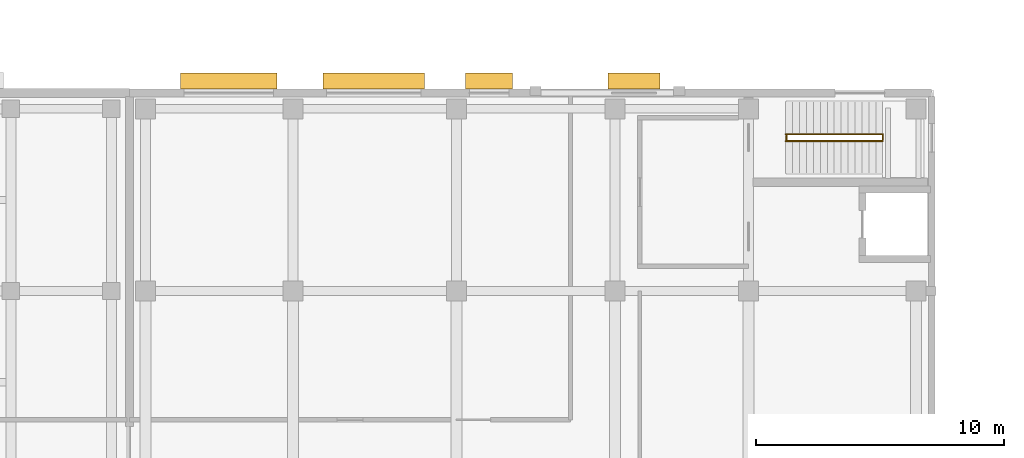
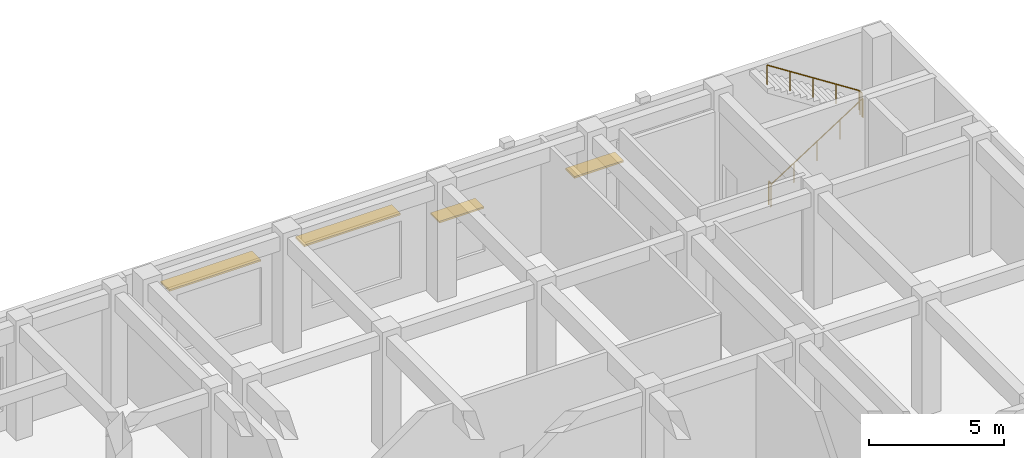
# One storey, part 46 of 46: 4 railings, 4 shading devices.
"""IFC4 building model written with IfcOpenShell, lengths in metres."""

from ifc_helpers import new_model, si_unit, direction, frame, origin, origin_2d, place, context, subcontext, project, spatial, rectangle, circle, extrude, material, type_object, element, save


model = new_model("IFC4")

# Units and contexts
model_context = context("Model", 3, precision=1e-05, world=origin(), true_north=direction((0.0, 1.0)))
body_context = subcontext(model_context, "Body", "Model", "MODEL_VIEW")
ifc_project = project(units=[si_unit("LENGTHUNIT", "METRE"), si_unit("AREAUNIT", "SQUARE_METRE"), si_unit("VOLUMEUNIT", "CUBIC_METRE"), si_unit("PLANEANGLEUNIT", "RADIAN"), si_unit("MASSUNIT", "GRAM", prefix="KILO")], contexts=[model_context])

# Site, building, storey
site_placement = place(None, origin())
site = spatial("IfcSite", under=ifc_project, at=site_placement, CompositionType="ELEMENT")
building_placement = place(site_placement, origin())
building = spatial("IfcBuilding", under=site, at=building_placement, Name="Cinchona Park Media Centre", CompositionType="ELEMENT")
storey_placement = place(building_placement, origin())
storey = spatial("IfcBuildingStorey", under=building, at=storey_placement, Name="L00", CompositionType="ELEMENT", Elevation=0.0)

# Railings
ifc_material_1 = material(Name="Painted Steel Stairwell Guardrail", Category="steel")
railing_type_1 = type_object("IfcRailingType", Name="RAILING-GR02", PredefinedType="GUARDRAIL", material=ifc_material_1)
for number, where, name in (
    (1, (166.135009765625, 116.1201171875, 0.0), "Stairwell Guardrail GR02 ST2 L00"),
    (2, (170.02001953125, 116.1201171875, 2.699951171875), "Half-Landing Guardrail GR02 ST2 L00"),
):
    element("IfcRailing", number, at=place(storey_placement, frame(where)), inside=storey, type_object=railing_type_1, Name=name, PredefinedType="GUARDRAIL", context=body_context, shape_type="SweptSolid", body=[
        extrude(circle(Radius=0.02392578125, at=origin_2d()), frame((0.0, 0.0, 1.076171875), z_axis=(0.0, 1.0, 0.0), x_axis=(-1.0, 0.0, 0.0)), (0.0, 0.0, 1.0), 0.159912109375),
        extrude(circle(Radius=0.02099609375, at=origin_2d()), origin(), (0.0, 0.0, 1.0), 1.052001953125),
        extrude(circle(Radius=0.02099609375, at=origin_2d()), frame((0.0, 0.159912109375, 0.0)), (0.0, 0.0, 1.0), 1.052001953125),
    ])
ifc_material_2 = material(Name="Brushed Stainless Steel Handrail", Category="steel")
railing_type_2 = type_object("IfcRailingType", Name="RAILING-HR01", PredefinedType="HANDRAIL", material=ifc_material_2)
railing_1_placement = place(storey_placement, frame((166.10009765625, 116.06005859375, 0.179931640625)))
element("IfcRailing", 3, at=railing_1_placement, inside=storey, type_object=railing_type_2, Name="Stair Handrail HR01 ST2 L00 F1", PredefinedType="HANDRAIL", context=body_context, shape_type="SweptSolid", body=[
    extrude(circle(Radius=0.02392578125, at=origin_2d()), frame((0.0, 0.0, 0.8759765625), z_axis=(0.841171666519, 0.0, 0.540768182723), x_axis=(0.0, 1.0, 0.0)), (0.0, 0.0, 1.0), 4.66015625),
    extrude(circle(Radius=0.02099609375, at=origin_2d()), origin(), (0.0, 0.0, 1.0), 0.851806640625),
    extrude(circle(Radius=0.02099609375, at=origin_2d()), frame((0.97998046875, 0.0, 0.6298828125)), (0.0, 0.0, 1.0), 0.851806640625),
    extrude(circle(Radius=0.02099609375, at=origin_2d()), frame((1.9599609375, 0.0, 1.260009765625)), (0.0, 0.0, 1.0), 0.851806640625),
    extrude(circle(Radius=0.02099609375, at=origin_2d()), frame((2.93994140625, 0.0, 1.89013671875)), (0.0, 0.0, 1.0), 0.851806640625),
    extrude(circle(Radius=0.02099609375, at=origin_2d()), frame((3.919921875, 0.0, 2.52001953125)), (0.0, 0.0, 1.0), 0.851806640625),
])
railing_2_placement = place(storey_placement, frame((170.02001953125, 116.340087890625, 2.8798828125)))
element("IfcRailing", 4, at=railing_2_placement, inside=storey, type_object=railing_type_2, Name="Stair Handrail HR01 ST2 L00 F2", PredefinedType="HANDRAIL", context=body_context, shape_type="SweptSolid", body=[
    extrude(circle(Radius=0.02392578125, at=origin_2d()), frame((0.0, 0.0, 0.8759765625), z_axis=(-0.841171666519, 0.0, 0.540768182723), x_axis=(0.0, -1.0, 0.0)), (0.0, 0.0, 1.0), 4.66015625),
    extrude(circle(Radius=0.02099609375, at=origin_2d()), origin(), (0.0, 0.0, 1.0), 0.851806640625),
    extrude(circle(Radius=0.02099609375, at=origin_2d()), frame((-0.97998046875, 0.0, 0.6298828125)), (0.0, 0.0, 1.0), 0.851806640625),
    extrude(circle(Radius=0.02099609375, at=origin_2d()), frame((-1.9599609375, 0.0, 1.260009765625)), (0.0, 0.0, 1.0), 0.851806640625),
    extrude(circle(Radius=0.02099609375, at=origin_2d()), frame((-2.93994140625, 0.0, 1.89013671875)), (0.0, 0.0, 1.0), 0.851806640625),
    extrude(circle(Radius=0.02099609375, at=origin_2d()), frame((-3.919921875, 0.0, 2.52001953125)), (0.0, 0.0, 1.0), 0.851806640625),
])

# Shading devices
ifc_material_3 = material(Name="Anodised Aluminium Horizontal Brise-Soleil", Category="aluminium")
shading_device_type = type_object("IfcShadingDeviceType", Name="SHADING-SUN01", PredefinedType="AWNING", material=ifc_material_3)
shading_device_1_placement = place(storey_placement, frame((143.60009765625, 118.47998046875, 3.52001953125), z_axis=(0.0, 0.0, 1.0), x_axis=(1.0, 0.0, 0.0)))
element("IfcShadingDevice", 5, at=shading_device_1_placement, inside=storey, type_object=shading_device_type, Name="Horizontal Sunshade SHD02 L00", PredefinedType="AWNING", context=body_context, shape_type="SweptSolid", body=[
    extrude(rectangle(XDim=3.89990234375, YDim=0.64990234375, at=origin_2d()), origin(), (0.0, 0.0, 1.0), 0.080078125),
])
shading_device_2_placement = place(storey_placement, frame((149.4599609375, 118.47998046875, 3.52001953125), z_axis=(0.0, 0.0, 1.0), x_axis=(1.0, 0.0, 0.0)))
element("IfcShadingDevice", 6, at=shading_device_2_placement, inside=storey, type_object=shading_device_type, Name="Horizontal Sunshade SHD02 L00", PredefinedType="AWNING", context=body_context, shape_type="SweptSolid", body=[
    extrude(rectangle(XDim=4.10009765625, YDim=0.64990234375, at=origin_2d()), origin(), (0.0, 0.0, 1.0), 0.080078125),
])
shading_device_3_placement = place(storey_placement, frame((154.1201171875, 118.47998046875, 2.570068359375), z_axis=(0.0, 0.0, 1.0), x_axis=(1.0, 0.0, 0.0)))
element("IfcShadingDevice", 7, at=shading_device_3_placement, inside=storey, type_object=shading_device_type, Name="Horizontal Sunshade SHD02 L00", PredefinedType="AWNING", context=body_context, shape_type="SweptSolid", body=[
    extrude(rectangle(XDim=1.89990234375, YDim=0.64990234375, at=origin_2d()), origin(), (0.0, 0.0, 1.0), 0.080078125),
])
shading_device_4_placement = place(storey_placement, frame((159.97998046875, 118.47998046875, 2.570068359375), z_axis=(0.0, 0.0, 1.0), x_axis=(1.0, 0.0, 0.0)))
element("IfcShadingDevice", 8, at=shading_device_4_placement, inside=storey, type_object=shading_device_type, Name="Horizontal Sunshade SHD02 L00", PredefinedType="AWNING", context=body_context, shape_type="SweptSolid", body=[
    extrude(rectangle(XDim=2.10009765625, YDim=0.64990234375, at=origin_2d()), origin(), (0.0, 0.0, 1.0), 0.080078125),
])

save(model, "model.ifc")
